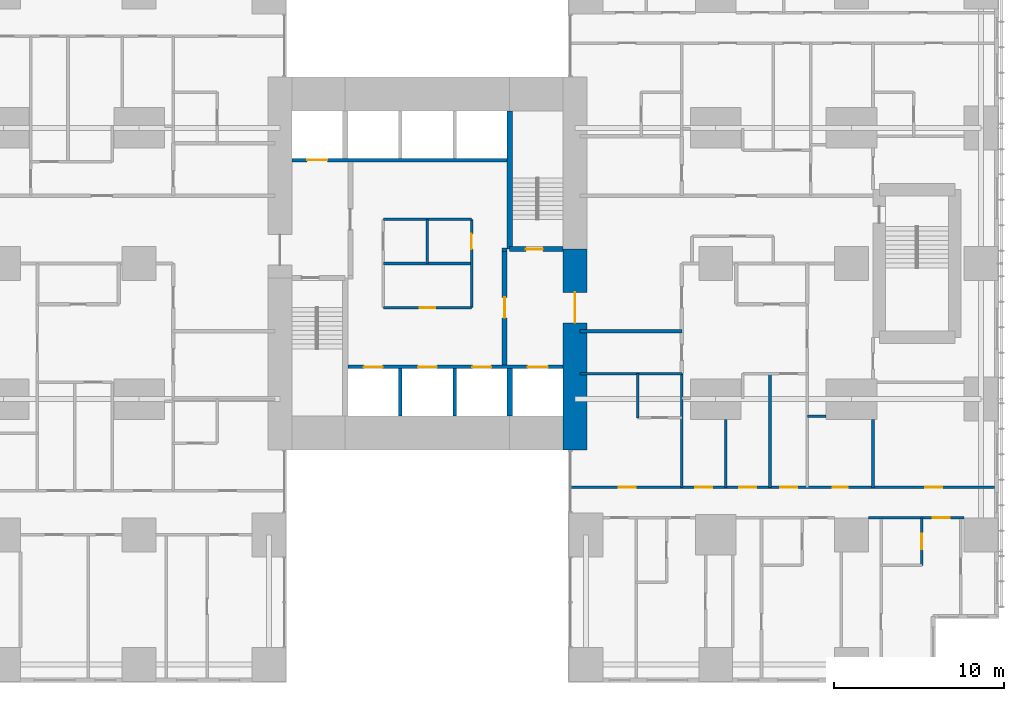
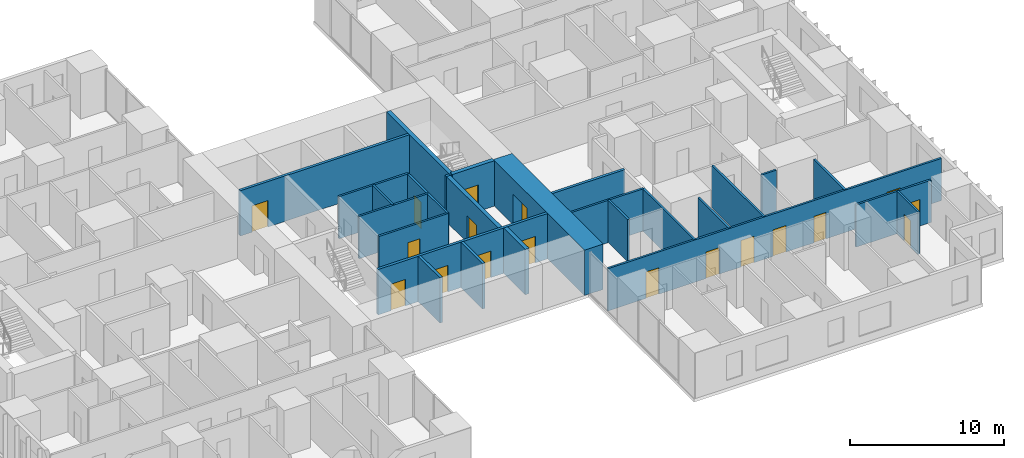
# One storey, part 15 of 20: 26 walls, 18 doors, 18 openings.
"""IFC4 building model written with IfcOpenShell, lengths in metres."""

from ifc_helpers import new_model, si_unit, direction, frame, frame_2d, origin, place, context, subcontext, project, spatial, rectangle, extrude, material, layer, layer_set, type_object, element, fill, save


model = new_model("IFC4")

# Units and contexts
model_context = context("Model", 3, precision=1e-05, world=origin(), true_north=direction((0.0, 1.0)))
body_context = subcontext(model_context, "Body", "Model", "MODEL_VIEW")
ifc_project = project(units=[si_unit("LENGTHUNIT", "METRE"), si_unit("AREAUNIT", "SQUARE_METRE"), si_unit("VOLUMEUNIT", "CUBIC_METRE"), si_unit("PLANEANGLEUNIT", "RADIAN"), si_unit("MASSUNIT", "GRAM", prefix="KILO")], contexts=[model_context])

# Site, building, storey
site_placement = place(None, origin())
site = spatial("IfcSite", under=ifc_project, at=site_placement, CompositionType="ELEMENT")
building_placement = place(site_placement, origin())
building = spatial("IfcBuilding", under=site, at=building_placement, Name="Cleftline Residences", CompositionType="ELEMENT")
storey_placement = place(building_placement, frame((0.0, 0.0, 47.60009765625)))
storey = spatial("IfcBuildingStorey", under=building, at=storey_placement, Name="L11", CompositionType="ELEMENT", Elevation=47.60009765625)

# Wall, opening, door
ifc_material_1 = material(Name="Concrete B70", Category="concrete")
ifc_layer_1 = layer(ifc_material_1, 1.39990234375)
ifc_layer_set_1 = layer_set([ifc_layer_1], Name="CORE WALL 1400")
wall_type_1 = type_object("IfcWallType", Name="CORE WALL 1400", PredefinedType="SHEAR", material=ifc_layer_set_1)
wall_1_placement = place(storey_placement, frame((41.699951171875, 13.0, 0.0), z_axis=(0.0, 0.0, 1.0), x_axis=(0.0, 1.0, 0.0)))
wall_1 = element("IfcWall", 1, at=wall_1_placement, inside=storey, type_object=wall_type_1, Name="Core wall E", PredefinedType="SHEAR", context=body_context, shape_type="SweptSolid", body=[
    extrude(rectangle(XDim=11.85009765625, YDim=1.39990234375, at=frame_2d((5.925048828125, 0.0))), origin(), (0.0, 0.0, 1.0), 3.599853515625),
])
opening_1_placement = place(wall_1_placement, frame((7.5, 0.0, 0.0)))
opening_1 = element("IfcOpeningElement", 2, at=opening_1_placement, cuts=wall_1, Name="Opening D7", PredefinedType="OPENING", context=body_context, shape_type="SweptSolid", body=[
    extrude(rectangle(XDim=1.800048828125, YDim=2.39990234375, at=frame_2d((0.89990234375, 1.199951171875))), frame((0.0, 0.7099609375, 0.0), z_axis=(0.0, -1.0, 0.0), x_axis=(1.0, 0.0, 0.0)), (0.0, 0.0, 1.0), 1.419921875),
])
ifc_material_2 = material(Name="Steel", Category="steel")
door_type_1 = type_object("IfcDoorType", Name="WING DOOR 1800X2400", OperationType="DOUBLE_DOOR_DOUBLE_SWING", PredefinedType="DOOR", material=ifc_material_2)
door_1_placement = place(opening_1_placement, origin())
door_1 = element("IfcDoor", 3, at=door_1_placement, inside=storey, type_object=door_type_1, Name="East wing door", OperationType="DOUBLE_DOOR_DOUBLE_SWING", OverallHeight=2.39990234375, OverallWidth=1.800048828125, PredefinedType="DOOR", context=body_context, shape_type="SweptSolid", body=[
    extrude(rectangle(XDim=1.800048828125, YDim=2.39990234375, at=frame_2d((0.89990234375, 1.199951171875))), frame((0.0, 0.02490234375, 0.0), z_axis=(0.0, -1.0, 0.0), x_axis=(1.0, 0.0, 0.0)), (0.0, 0.0, 1.0), 0.050048828125),
])
fill(opening_1, door_1)

# Wall
ifc_material_3 = material(Name="Concrete B70", Category="concrete")
ifc_layer_2 = layer(ifc_material_3, 0.300048828125)
ifc_layer_set_2 = layer_set([ifc_layer_2], Name="CORE WALL 300")
wall_type_2 = type_object("IfcWallType", Name="CORE WALL 300", PredefinedType="SHEAR", material=ifc_layer_set_2)
wall_2_placement = place(storey_placement, frame((37.85009765625, 24.85009765625, 0.0), z_axis=(0.0, 0.0, 1.0), x_axis=(0.0, 1.0, 0.0)))
element("IfcWall", 4, at=wall_2_placement, inside=storey, type_object=wall_type_2, Name="Core wall SB-W", PredefinedType="SHEAR", context=body_context, shape_type="SweptSolid", body=[
    extrude(rectangle(XDim=8.14990234375, YDim=0.300048828125, at=frame_2d((4.074951171875, 0.0))), origin(), (0.0, 0.0, 1.0), 3.599853515625),
])

# Wall, opening, door
wall_3_placement = place(storey_placement, frame((37.85009765625, 24.85009765625, 0.0), z_axis=(0.0, 0.0, 1.0), x_axis=(1.0, 0.0, 0.0)))
wall_3 = element("IfcWall", 5, at=wall_3_placement, inside=storey, type_object=wall_type_2, Name="Core wall SB-S", PredefinedType="SHEAR", context=body_context, shape_type="SweptSolid", body=[
    extrude(rectangle(XDim=3.14990234375, YDim=0.300048828125, at=frame_2d((1.574951171875, 0.0))), origin(), (0.0, 0.0, 1.0), 3.599853515625),
])
opening_2_placement = place(wall_3_placement, frame((0.949951171875, 0.0, 0.0)))
opening_2 = element("IfcOpeningElement", 6, at=opening_2_placement, cuts=wall_3, Name="Opening D5", PredefinedType="OPENING", context=body_context, shape_type="SweptSolid", body=[
    extrude(rectangle(XDim=1.0, YDim=2.10009765625, at=frame_2d((0.5, 1.050048828125))), frame((0.0, 0.159912109375, 0.0), z_axis=(0.0, -1.0, 0.0), x_axis=(1.0, 0.0, 0.0)), (0.0, 0.0, 1.0), 0.320068359375),
])
ifc_material_4 = material(Name="Steel", Category="steel")
door_type_2 = type_object("IfcDoorType", Name="STAIR DOOR 1000X2100", OperationType="SINGLE_SWING_LEFT", PredefinedType="DOOR", material=ifc_material_4)
door_2_placement = place(opening_2_placement, origin())
door_2 = element("IfcDoor", 7, at=door_2_placement, inside=storey, type_object=door_type_2, Name="Stair B door", OperationType="SINGLE_SWING_RIGHT", OverallHeight=2.10009765625, OverallWidth=1.0, PredefinedType="DOOR", context=body_context, shape_type="SweptSolid", body=[
    extrude(rectangle(XDim=1.0, YDim=2.10009765625, at=frame_2d((0.5, 1.050048828125))), frame((0.0, 0.02490234375, 0.0), z_axis=(0.0, -1.0, 0.0), x_axis=(1.0, 0.0, 0.0)), (0.0, 0.0, 1.0), 0.050048828125),
])
fill(opening_2, door_2)

# Walls
wall_4_placement = place(storey_placement, frame((37.85009765625, 15.0, 0.0), z_axis=(0.0, 0.0, 1.0), x_axis=(0.0, 1.0, 0.0)))
element("IfcWall", 8, at=wall_4_placement, inside=storey, type_object=wall_type_2, Name="Lift shaft wall", PredefinedType="SHEAR", context=body_context, shape_type="SweptSolid", body=[
    extrude(rectangle(XDim=2.800048828125, YDim=0.300048828125, at=frame_2d((1.39990234375, 0.0))), origin(), (0.0, 0.0, 1.0), 3.599853515625),
])
ifc_material_5 = material(Name="Concrete blockwork, fire rated", Category="masonry")
ifc_layer_3 = layer(ifc_material_5, 0.199951171875)
ifc_layer_set_3 = layer_set([ifc_layer_3], Name="FIRE WALL 200")
wall_type_3 = type_object("IfcWallType", Name="FIRE WALL 200", PredefinedType="PARTITIONING", material=ifc_layer_set_3)
wall_5_placement = place(storey_placement, frame((42.0, 20.0, 0.0), z_axis=(0.0, 0.0, 1.0), x_axis=(1.0, 0.0, 0.0)))
element("IfcWall", 9, at=wall_5_placement, inside=storey, type_object=wall_type_3, Name="Fire separating wall", PredefinedType="PARTITIONING", context=body_context, shape_type="SweptSolid", body=[
    extrude(rectangle(XDim=6.0, YDim=0.199951171875, at=frame_2d((3.0, 0.0))), origin(), (0.0, 0.0, 1.0), 3.349853515625),
])
wall_6_placement = place(storey_placement, frame((37.39990234375, 24.800048828125, 0.0), z_axis=(0.0, 0.0, 1.0), x_axis=(1.0, 0.0, 0.0)))
element("IfcWall", 10, at=wall_6_placement, inside=storey, type_object=wall_type_3, Name="Fire separating wall", PredefinedType="PARTITIONING", context=body_context, shape_type="SweptSolid", body=[
    extrude(rectangle(XDim=0.300048828125, YDim=0.199951171875, at=frame_2d((0.14990234375, 0.0))), origin(), (0.0, 0.0, 1.0), 3.599853515625),
])

# Wall, opening, door
ifc_material_6 = material(Name="Gypsum board on steel studs", Category="steel")
ifc_layer_4 = layer(ifc_material_6, 0.14990234375)
ifc_layer_set_4 = layer_set([ifc_layer_4], Name="PARTITION 150")
wall_type_4 = type_object("IfcWallType", Name="PARTITION 150", PredefinedType="PARTITIONING", material=ifc_layer_set_4)
wall_7_placement = place(storey_placement, frame((59.0, 9.0, 0.0), z_axis=(0.0, 0.0, 1.0), x_axis=(1.0, 0.0, 0.0)))
wall_7 = element("IfcWall", 11, at=wall_7_placement, inside=storey, type_object=wall_type_4, Name="Partition", PredefinedType="PARTITIONING", context=body_context, shape_type="SweptSolid", body=[
    extrude(rectangle(XDim=5.64990234375, YDim=0.14990234375, at=frame_2d((2.824951171875, 0.0))), origin(), (0.0, 0.0, 1.0), 3.349853515625),
])
opening_3_placement = place(wall_7_placement, frame((3.800048828125, 0.0, 0.0)))
opening_3 = element("IfcOpeningElement", 12, at=opening_3_placement, cuts=wall_7, Name="Opening D2", PredefinedType="OPENING", context=body_context, shape_type="SweptSolid", body=[
    extrude(rectangle(XDim=1.0, YDim=2.10009765625, at=frame_2d((0.5, 1.050048828125))), frame((0.0, 0.0849609375, 0.0), z_axis=(0.0, -1.0, 0.0), x_axis=(1.0, 0.0, 0.0)), (0.0, 0.0, 1.0), 0.169921875),
])
ifc_material_7 = material(Name="Timber veneer on solid core", Category="wood")
door_type_3 = type_object("IfcDoorType", Name="DOOR 1000X2100", OperationType="SINGLE_SWING_LEFT", PredefinedType="DOOR", material=ifc_material_7)
door_3_placement = place(opening_3_placement, origin())
door_3 = element("IfcDoor", 13, at=door_3_placement, inside=storey, type_object=door_type_3, Name="Door to bedroom 2", OperationType="SINGLE_SWING_LEFT", OverallHeight=2.10009765625, OverallWidth=1.0, PredefinedType="DOOR", context=body_context, shape_type="SweptSolid", body=[
    extrude(rectangle(XDim=1.0, YDim=2.10009765625, at=frame_2d((0.5, 1.050048828125))), frame((0.0, 0.02490234375, 0.0), z_axis=(0.0, -1.0, 0.0), x_axis=(1.0, 0.0, 0.0)), (0.0, 0.0, 1.0), 0.050048828125),
])
fill(opening_3, door_3)

# Wall, openings, doors
wall_8_placement = place(storey_placement, frame((41.43896484375, 10.800048828125, 0.0), z_axis=(0.0, 0.0, 1.0), x_axis=(1.0, 0.0, 0.0)))
wall_8 = element("IfcWall", 14, at=wall_8_placement, inside=storey, type_object=wall_type_4, Name="Partition", PredefinedType="PARTITIONING", context=body_context, shape_type="SweptSolid", body=[
    extrude(rectangle(XDim=25.010986328125, YDim=0.14990234375, at=frame_2d((12.50537109375, 0.0))), origin(), (0.0, 0.0, 1.0), 3.349853515625),
])
opening_4_placement = place(wall_8_placement, frame((12.361083984375, 0.0, 0.0)))
opening_4 = element("IfcOpeningElement", 15, at=opening_4_placement, cuts=wall_8, Name="Opening D2", PredefinedType="OPENING", context=body_context, shape_type="SweptSolid", body=[
    extrude(rectangle(XDim=1.0, YDim=2.10009765625, at=frame_2d((0.5, 1.050048828125))), frame((0.0, 0.0849609375, 0.0), z_axis=(0.0, -1.0, 0.0), x_axis=(1.0, 0.0, 0.0)), (0.0, 0.0, 1.0), 0.169921875),
])
opening_5_placement = place(wall_8_placement, frame((20.923583984375, 0.0, 0.0)))
opening_5 = element("IfcOpeningElement", 16, at=opening_5_placement, cuts=wall_8, Name="Opening D2", PredefinedType="OPENING", context=body_context, shape_type="SweptSolid", body=[
    extrude(rectangle(XDim=1.0, YDim=2.10009765625, at=frame_2d((0.5, 1.050048828125))), frame((0.0, 0.0849609375, 0.0), z_axis=(0.0, -1.0, 0.0), x_axis=(1.0, 0.0, 0.0)), (0.0, 0.0, 1.0), 0.169921875),
])
opening_6_placement = place(wall_8_placement, frame((15.448486328125, 0.0, 0.0)))
opening_6 = element("IfcOpeningElement", 17, at=opening_6_placement, cuts=wall_8, Name="Opening D1", PredefinedType="OPENING", context=body_context, shape_type="SweptSolid", body=[
    extrude(rectangle(XDim=0.89990234375, YDim=2.10009765625, at=frame_2d((0.449951171875, 1.050048828125))), frame((0.0, 0.0849609375, 0.0), z_axis=(0.0, -1.0, 0.0), x_axis=(1.0, 0.0, 0.0)), (0.0, 0.0, 1.0), 0.169921875),
])
opening_7_placement = place(wall_8_placement, frame((9.9609375, 0.0, 0.0)))
opening_7 = element("IfcOpeningElement", 18, at=opening_7_placement, cuts=wall_8, Name="Opening D2", PredefinedType="OPENING", context=body_context, shape_type="SweptSolid", body=[
    extrude(rectangle(XDim=1.0, YDim=2.10009765625, at=frame_2d((0.5, 1.050048828125))), frame((0.0, 0.0849609375, 0.0), z_axis=(0.0, -1.0, 0.0), x_axis=(1.0, 0.0, 0.0)), (0.0, 0.0, 1.0), 0.169921875),
])
opening_8_placement = place(wall_8_placement, frame((7.361083984375, 0.0, 0.0)))
opening_8 = element("IfcOpeningElement", 19, at=opening_8_placement, cuts=wall_8, Name="Opening D2", PredefinedType="OPENING", context=body_context, shape_type="SweptSolid", body=[
    extrude(rectangle(XDim=1.0, YDim=2.10009765625, at=frame_2d((0.5, 1.050048828125))), frame((0.0, 0.0849609375, 0.0), z_axis=(0.0, -1.0, 0.0), x_axis=(1.0, 0.0, 0.0)), (0.0, 0.0, 1.0), 0.169921875),
])
opening_9_placement = place(wall_8_placement, frame((2.8359375, 0.0, 0.0)))
opening_9 = element("IfcOpeningElement", 20, at=opening_9_placement, cuts=wall_8, Name="Opening D2", PredefinedType="OPENING", context=body_context, shape_type="SweptSolid", body=[
    extrude(rectangle(XDim=1.0, YDim=2.10009765625, at=frame_2d((0.5, 1.050048828125))), frame((0.0, 0.0849609375, 0.0), z_axis=(0.0, -1.0, 0.0), x_axis=(1.0, 0.0, 0.0)), (0.0, 0.0, 1.0), 0.169921875),
])
door_4_placement = place(opening_4_placement, origin())
door_4 = element("IfcDoor", 21, at=door_4_placement, inside=storey, type_object=door_type_3, Name="Door to residence hall", OperationType="SINGLE_SWING_LEFT", OverallHeight=2.10009765625, OverallWidth=1.0, PredefinedType="DOOR", context=body_context, shape_type="SweptSolid", body=[
    extrude(rectangle(XDim=1.0, YDim=2.10009765625, at=frame_2d((0.5, 1.050048828125))), frame((0.0, 0.02490234375, 0.0), z_axis=(0.0, -1.0, 0.0), x_axis=(1.0, 0.0, 0.0)), (0.0, 0.0, 1.0), 0.050048828125),
])
fill(opening_4, door_4)
door_5_placement = place(opening_5_placement, origin())
door_5 = element("IfcDoor", 22, at=door_5_placement, inside=storey, type_object=door_type_3, Name="Door to sea-view living and dining room", OperationType="SINGLE_SWING_LEFT", OverallHeight=2.10009765625, OverallWidth=1.0, PredefinedType="DOOR", context=body_context, shape_type="SweptSolid", body=[
    extrude(rectangle(XDim=1.0, YDim=2.10009765625, at=frame_2d((0.5, 1.050048828125))), frame((0.0, 0.02490234375, 0.0), z_axis=(0.0, -1.0, 0.0), x_axis=(1.0, 0.0, 0.0)), (0.0, 0.0, 1.0), 0.050048828125),
])
fill(opening_5, door_5)
door_6_placement = place(opening_7_placement, origin())
door_6 = element("IfcDoor", 23, at=door_6_placement, inside=storey, type_object=door_type_3, Name="Door to show kitchen", OperationType="SINGLE_SWING_RIGHT", OverallHeight=2.10009765625, OverallWidth=1.0, PredefinedType="DOOR", context=body_context, shape_type="SweptSolid", body=[
    extrude(rectangle(XDim=1.0, YDim=2.10009765625, at=frame_2d((0.5, 1.050048828125))), frame((0.0, 0.02490234375, 0.0), z_axis=(0.0, -1.0, 0.0), x_axis=(1.0, 0.0, 0.0)), (0.0, 0.0, 1.0), 0.050048828125),
])
fill(opening_7, door_6)
door_7_placement = place(opening_8_placement, origin())
door_7 = element("IfcDoor", 24, at=door_7_placement, inside=storey, type_object=door_type_3, Name="Door to wet kitchen", OperationType="SINGLE_SWING_RIGHT", OverallHeight=2.10009765625, OverallWidth=1.0, PredefinedType="DOOR", context=body_context, shape_type="SweptSolid", body=[
    extrude(rectangle(XDim=1.0, YDim=2.10009765625, at=frame_2d((0.5, 1.050048828125))), frame((0.0, 0.02490234375, 0.0), z_axis=(0.0, -1.0, 0.0), x_axis=(1.0, 0.0, 0.0)), (0.0, 0.0, 1.0), 0.050048828125),
])
fill(opening_8, door_7)
door_8_placement = place(opening_9_placement, origin())
door_8 = element("IfcDoor", 25, at=door_8_placement, inside=storey, type_object=door_type_3, Name="Door to master bedroom", OperationType="SINGLE_SWING_RIGHT", OverallHeight=2.10009765625, OverallWidth=1.0, PredefinedType="DOOR", context=body_context, shape_type="SweptSolid", body=[
    extrude(rectangle(XDim=1.0, YDim=2.10009765625, at=frame_2d((0.5, 1.050048828125))), frame((0.0, 0.02490234375, 0.0), z_axis=(0.0, -1.0, 0.0), x_axis=(1.0, 0.0, 0.0)), (0.0, 0.0, 1.0), 0.050048828125),
])
fill(opening_9, door_8)
ifc_material_8 = material(Name="Timber veneer on solid core", Category="wood")
door_type_4 = type_object("IfcDoorType", Name="DOOR 900X2100", OperationType="SINGLE_SWING_LEFT", PredefinedType="DOOR", material=ifc_material_8)
door_9_placement = place(opening_6_placement, origin())
door_9 = element("IfcDoor", 26, at=door_9_placement, inside=storey, type_object=door_type_4, Name="Door to store room", OperationType="SINGLE_SWING_LEFT", OverallHeight=2.10009765625, OverallWidth=0.89990234375, PredefinedType="DOOR", context=body_context, shape_type="SweptSolid", body=[
    extrude(rectangle(XDim=0.89990234375, YDim=2.10009765625, at=frame_2d((0.449951171875, 1.050048828125))), frame((0.0, 0.02490234375, 0.0), z_axis=(0.0, -1.0, 0.0), x_axis=(1.0, 0.0, 0.0)), (0.0, 0.0, 1.0), 0.050048828125),
])
fill(opening_6, door_9)

# Walls
wall_9_placement = place(storey_placement, frame((55.39990234375, 15.0, 0.0), z_axis=(0.0, 0.0, 1.0), x_axis=(1.0, 0.0, 0.0)))
element("IfcWall", 27, at=wall_9_placement, inside=storey, type_object=wall_type_4, Name="Partition", PredefinedType="PARTITIONING", context=body_context, shape_type="SweptSolid", body=[
    extrude(rectangle(XDim=1.10009765625, YDim=0.14990234375, at=frame_2d((0.550048828125, 0.0))), origin(), (0.0, 0.0, 1.0), 3.349853515625),
])
wall_10_placement = place(storey_placement, frame((42.0, 17.5, 0.0), z_axis=(0.0, 0.0, 1.0), x_axis=(1.0, 0.0, 0.0)))
element("IfcWall", 28, at=wall_10_placement, inside=storey, type_object=wall_type_4, Name="Partition", PredefinedType="PARTITIONING", context=body_context, shape_type="SweptSolid", body=[
    extrude(rectangle(XDim=6.0, YDim=0.14990234375, at=frame_2d((3.0, 0.0))), origin(), (0.0, 0.0, 1.0), 3.349853515625),
])
wall_11_placement = place(storey_placement, frame((45.39990234375, 14.89990234375, 0.0), z_axis=(0.0, 0.0, 1.0), x_axis=(0.0, 1.0, 0.0)))
element("IfcWall", 29, at=wall_11_placement, inside=storey, type_object=wall_type_4, Name="Partition", PredefinedType="PARTITIONING", context=body_context, shape_type="SweptSolid", body=[
    extrude(rectangle(XDim=2.60009765625, YDim=0.14990234375, at=frame_2d((1.300048828125, 0.0))), origin(), (0.0, 0.0, 1.0), 3.349853515625),
])
wall_12_placement = place(storey_placement, frame((48.0, 10.800048828125, 0.0), z_axis=(0.0, 0.0, 1.0), x_axis=(0.0, 1.0, 0.0)))
element("IfcWall", 30, at=wall_12_placement, inside=storey, type_object=wall_type_4, Name="Partition", PredefinedType="PARTITIONING", context=body_context, shape_type="SweptSolid", body=[
    extrude(rectangle(XDim=6.699951171875, YDim=0.14990234375, at=frame_2d((3.35009765625, 0.0))), origin(), (0.0, 0.0, 1.0), 3.349853515625),
])
wall_13_placement = place(storey_placement, frame((50.60009765625, 10.800048828125, 0.0), z_axis=(0.0, 0.0, 1.0), x_axis=(0.0, 1.0, 0.0)))
element("IfcWall", 31, at=wall_13_placement, inside=storey, type_object=wall_type_4, Name="Partition", PredefinedType="PARTITIONING", context=body_context, shape_type="SweptSolid", body=[
    extrude(rectangle(XDim=4.0, YDim=0.14990234375, at=frame_2d((2.0, 0.0))), origin(), (0.0, 0.0, 1.0), 3.349853515625),
])
wall_14_placement = place(storey_placement, frame((53.199951171875, 10.800048828125, 0.0), z_axis=(0.0, 0.0, 1.0), x_axis=(0.0, 1.0, 0.0)))
element("IfcWall", 32, at=wall_14_placement, inside=storey, type_object=wall_type_4, Name="Partition", PredefinedType="PARTITIONING", context=body_context, shape_type="SweptSolid", body=[
    extrude(rectangle(XDim=6.699951171875, YDim=0.14990234375, at=frame_2d((3.35009765625, 0.0))), origin(), (0.0, 0.0, 1.0), 3.349853515625),
])
wall_15_placement = place(storey_placement, frame((59.27490234375, 10.800048828125, 0.0), z_axis=(0.0, 0.0, 1.0), x_axis=(0.0, 1.0, 0.0)))
element("IfcWall", 33, at=wall_15_placement, inside=storey, type_object=wall_type_4, Name="Partition", PredefinedType="PARTITIONING", context=body_context, shape_type="SweptSolid", body=[
    extrude(rectangle(XDim=4.0, YDim=0.14990234375, at=frame_2d((2.0, 0.0))), origin(), (0.0, 0.0, 1.0), 3.349853515625),
])

# Wall, opening, door
wall_16_placement = place(storey_placement, frame((62.14990234375, 6.199951171875, 0.0), z_axis=(0.0, 0.0, 1.0), x_axis=(0.0, 1.0, 0.0)))
wall_16 = element("IfcWall", 34, at=wall_16_placement, inside=storey, type_object=wall_type_4, Name="Partition", PredefinedType="PARTITIONING", context=body_context, shape_type="SweptSolid", body=[
    extrude(rectangle(XDim=2.800048828125, YDim=0.14990234375, at=frame_2d((1.39990234375, 0.0))), origin(), (0.0, 0.0, 1.0), 3.349853515625),
])
opening_10_placement = place(wall_16_placement, frame((0.949951171875, 0.0, 0.0)))
opening_10 = element("IfcOpeningElement", 35, at=opening_10_placement, cuts=wall_16, Name="Opening D1", PredefinedType="OPENING", context=body_context, shape_type="SweptSolid", body=[
    extrude(rectangle(XDim=0.89990234375, YDim=2.10009765625, at=frame_2d((0.449951171875, 1.050048828125))), frame((0.0, 0.0849609375, 0.0), z_axis=(0.0, -1.0, 0.0), x_axis=(1.0, 0.0, 0.0)), (0.0, 0.0, 1.0), 0.169921875),
])
door_10_placement = place(opening_10_placement, origin())
door_10 = element("IfcDoor", 36, at=door_10_placement, inside=storey, type_object=door_type_4, Name="Door to en-suite bathroom 2", OperationType="SINGLE_SWING_LEFT", OverallHeight=2.10009765625, OverallWidth=0.89990234375, PredefinedType="DOOR", context=body_context, shape_type="SweptSolid", body=[
    extrude(rectangle(XDim=0.89990234375, YDim=2.10009765625, at=frame_2d((0.449951171875, 1.050048828125))), frame((0.0, 0.02490234375, 0.0), z_axis=(0.0, -1.0, 0.0), x_axis=(1.0, 0.0, 0.0)), (0.0, 0.0, 1.0), 0.050048828125),
])
fill(opening_10, door_10)

ifc_material_9 = material(Name="Fire-resisting gypsum board on steel studs", Category="steel")
ifc_layer_5 = layer(ifc_material_9, 0.14990234375)
ifc_layer_set_5 = layer_set([ifc_layer_5], Name="PARTITION 150 EI 60")
wall_type_5 = type_object("IfcWallType", Name="PARTITION 150 EI 60", PredefinedType="PARTITIONING", material=ifc_layer_set_5)
wall_17_placement = place(storey_placement, frame((30.39990234375, 21.39990234375, 0.0), z_axis=(0.0, 0.0, 1.0), x_axis=(1.0, 0.0, 0.0)))
wall_17 = element("IfcWall", 37, at=wall_17_placement, inside=storey, type_object=wall_type_5, Name="Core room partition", PredefinedType="PARTITIONING", context=body_context, shape_type="SweptSolid", body=[
    extrude(rectangle(XDim=5.2001953125, YDim=0.14990234375, at=frame_2d((2.60009765625, 0.0))), origin(), (0.0, 0.0, 1.0), 3.349853515625),
])
opening_11_placement = place(wall_17_placement, frame((2.14990234375, 0.0, 0.0)))
opening_11 = element("IfcOpeningElement", 38, at=opening_11_placement, cuts=wall_17, Name="Opening D1F30", PredefinedType="OPENING", context=body_context, shape_type="SweptSolid", body=[
    extrude(rectangle(XDim=0.89990234375, YDim=2.10009765625, at=frame_2d((0.449951171875, 1.050048828125))), frame((0.0, 0.0849609375, 0.0), z_axis=(0.0, -1.0, 0.0), x_axis=(1.0, 0.0, 0.0)), (0.0, 0.0, 1.0), 0.169921875),
])
ifc_material_10 = material(Name="Timber veneer on solid core", Category="wood")
door_type_5 = type_object("IfcDoorType", Name="DOOR 900X2100 EI 30", OperationType="SINGLE_SWING_LEFT", PredefinedType="DOOR", material=ifc_material_10)
door_11_placement = place(opening_11_placement, origin())
door_11 = element("IfcDoor", 39, at=door_11_placement, inside=storey, type_object=door_type_5, Name="Door to cleaner's store", OperationType="SINGLE_SWING_LEFT", OverallHeight=2.10009765625, OverallWidth=0.89990234375, PredefinedType="DOOR", context=body_context, shape_type="SweptSolid", body=[
    extrude(rectangle(XDim=0.89990234375, YDim=2.10009765625, at=frame_2d((0.449951171875, 1.050048828125))), frame((0.0, 0.02490234375, 0.0), z_axis=(0.0, -1.0, 0.0), x_axis=(1.0, 0.0, 0.0)), (0.0, 0.0, 1.0), 0.050048828125),
])
fill(opening_11, door_11)

# Wall
wall_18_placement = place(storey_placement, frame((30.39990234375, 26.60009765625, 0.0), z_axis=(0.0, 0.0, 1.0), x_axis=(1.0, 0.0, 0.0)))
element("IfcWall", 40, at=wall_18_placement, inside=storey, type_object=wall_type_5, Name="Core room partition", PredefinedType="PARTITIONING", context=body_context, shape_type="SweptSolid", body=[
    extrude(rectangle(XDim=5.2001953125, YDim=0.14990234375, at=frame_2d((2.60009765625, 0.0))), origin(), (0.0, 0.0, 1.0), 3.349853515625),
])

# Wall, opening, door
wall_19_placement = place(storey_placement, frame((35.60009765625, 21.39990234375, 0.0), z_axis=(0.0, 0.0, 1.0), x_axis=(0.0, 1.0, 0.0)))
wall_19 = element("IfcWall", 41, at=wall_19_placement, inside=storey, type_object=wall_type_5, Name="Core room partition", PredefinedType="PARTITIONING", context=body_context, shape_type="SweptSolid", body=[
    extrude(rectangle(XDim=5.2001953125, YDim=0.14990234375, at=frame_2d((2.60009765625, 0.0))), origin(), (0.0, 0.0, 1.0), 3.349853515625),
])
opening_12_placement = place(wall_19_placement, frame((3.449951171875, 0.0, 0.0)))
opening_12 = element("IfcOpeningElement", 42, at=opening_12_placement, cuts=wall_19, Name="Opening D1F30", PredefinedType="OPENING", context=body_context, shape_type="SweptSolid", body=[
    extrude(rectangle(XDim=0.89990234375, YDim=2.10009765625, at=frame_2d((0.449951171875, 1.050048828125))), frame((0.0, 0.0849609375, 0.0), z_axis=(0.0, -1.0, 0.0), x_axis=(1.0, 0.0, 0.0)), (0.0, 0.0, 1.0), 0.169921875),
])
door_12_placement = place(opening_12_placement, origin())
door_12 = element("IfcDoor", 43, at=door_12_placement, inside=storey, type_object=door_type_5, Name="Door to maintenance store", OperationType="SINGLE_SWING_LEFT", OverallHeight=2.10009765625, OverallWidth=0.89990234375, PredefinedType="DOOR", context=body_context, shape_type="SweptSolid", body=[
    extrude(rectangle(XDim=0.89990234375, YDim=2.10009765625, at=frame_2d((0.449951171875, 1.050048828125))), frame((0.0, 0.02490234375, 0.0), z_axis=(0.0, -1.0, 0.0), x_axis=(1.0, 0.0, 0.0)), (0.0, 0.0, 1.0), 0.050048828125),
])
fill(opening_12, door_12)

# Walls
wall_20_placement = place(storey_placement, frame((30.39990234375, 24.0, 0.0), z_axis=(0.0, 0.0, 1.0), x_axis=(1.0, 0.0, 0.0)))
element("IfcWall", 44, at=wall_20_placement, inside=storey, type_object=wall_type_5, Name="Core room partition", PredefinedType="PARTITIONING", context=body_context, shape_type="SweptSolid", body=[
    extrude(rectangle(XDim=5.2001953125, YDim=0.14990234375, at=frame_2d((2.60009765625, 0.0))), origin(), (0.0, 0.0, 1.0), 3.349853515625),
])
wall_21_placement = place(storey_placement, frame((33.0, 24.0, 0.0), z_axis=(0.0, 0.0, 1.0), x_axis=(0.0, 1.0, 0.0)))
element("IfcWall", 45, at=wall_21_placement, inside=storey, type_object=wall_type_5, Name="Core room partition", PredefinedType="PARTITIONING", context=body_context, shape_type="SweptSolid", body=[
    extrude(rectangle(XDim=2.60009765625, YDim=0.14990234375, at=frame_2d((1.300048828125, 0.0))), origin(), (0.0, 0.0, 1.0), 3.349853515625),
])

# Wall, openings, doors
ifc_material_11 = material(Name="Concrete blockwork, fire rated", Category="masonry")
ifc_layer_6 = layer(ifc_material_11, 0.199951171875)
ifc_layer_set_6 = layer_set([ifc_layer_6], Name="SHAFT WALL 200")
wall_type_6 = type_object("IfcWallType", Name="SHAFT WALL 200", PredefinedType="PARTITIONING", material=ifc_layer_set_6)
wall_22_placement = place(storey_placement, frame((28.300048828125, 17.89990234375, 0.0), z_axis=(0.0, 0.0, 1.0), x_axis=(1.0, 0.0, 0.0)))
wall_22 = element("IfcWall", 46, at=wall_22_placement, inside=storey, type_object=wall_type_6, Name="Lift shaft wall", PredefinedType="PARTITIONING", context=body_context, shape_type="SweptSolid", body=[
    extrude(rectangle(XDim=12.699951171875, YDim=0.199951171875, at=frame_2d((6.35009765625, 0.0))), origin(), (0.0, 0.0, 1.0), 3.599853515625),
])
opening_13_placement = place(wall_22_placement, frame((0.949951171875, 0.0, 0.0)))
opening_13 = element("IfcOpeningElement", 47, at=opening_13_placement, cuts=wall_22, Name="Opening LD1", PredefinedType="OPENING", context=body_context, shape_type="SweptSolid", body=[
    extrude(rectangle(XDim=1.10009765625, YDim=2.10009765625, at=frame_2d((0.550048828125, 1.050048828125))), frame((0.0, 0.10986328125, 0.0), z_axis=(0.0, -1.0, 0.0), x_axis=(1.0, 0.0, 0.0)), (0.0, 0.0, 1.0), 0.219970703125),
])
opening_14_placement = place(wall_22_placement, frame((4.14990234375, 0.0, 0.0)))
opening_14 = element("IfcOpeningElement", 48, at=opening_14_placement, cuts=wall_22, Name="Opening LD1", PredefinedType="OPENING", context=body_context, shape_type="SweptSolid", body=[
    extrude(rectangle(XDim=1.10009765625, YDim=2.10009765625, at=frame_2d((0.550048828125, 1.050048828125))), frame((0.0, 0.10986328125, 0.0), z_axis=(0.0, -1.0, 0.0), x_axis=(1.0, 0.0, 0.0)), (0.0, 0.0, 1.0), 0.219970703125),
])
opening_15_placement = place(wall_22_placement, frame((7.35009765625, 0.0, 0.0)))
opening_15 = element("IfcOpeningElement", 49, at=opening_15_placement, cuts=wall_22, Name="Opening LD1", PredefinedType="OPENING", context=body_context, shape_type="SweptSolid", body=[
    extrude(rectangle(XDim=1.10009765625, YDim=2.10009765625, at=frame_2d((0.550048828125, 1.050048828125))), frame((0.0, 0.10986328125, 0.0), z_axis=(0.0, -1.0, 0.0), x_axis=(1.0, 0.0, 0.0)), (0.0, 0.0, 1.0), 0.219970703125),
])
opening_16_placement = place(wall_22_placement, frame((10.60009765625, 0.0, 0.0)))
opening_16 = element("IfcOpeningElement", 50, at=opening_16_placement, cuts=wall_22, Name="Opening LD2", PredefinedType="OPENING", context=body_context, shape_type="SweptSolid", body=[
    extrude(rectangle(XDim=1.199951171875, YDim=2.10009765625, at=frame_2d((0.60009765625, 1.050048828125))), frame((0.0, 0.10986328125, 0.0), z_axis=(0.0, -1.0, 0.0), x_axis=(1.0, 0.0, 0.0)), (0.0, 0.0, 1.0), 0.219970703125),
])
ifc_material_12 = material(Name="Steel", Category="steel")
door_type_6 = type_object("IfcDoorType", Name="FIREFIGHTING LIFT LANDING DOOR 1200X2100", OperationType="SLIDING_TO_LEFT", PredefinedType="DOOR", material=ifc_material_12)
door_13_placement = place(opening_16_placement, origin())
door_13 = element("IfcDoor", 51, at=door_13_placement, inside=storey, type_object=door_type_6, Name="Lift FL2 landing door", OperationType="SLIDING_TO_LEFT", OverallHeight=2.10009765625, OverallWidth=1.199951171875, PredefinedType="DOOR", context=body_context, shape_type="SweptSolid", body=[
    extrude(rectangle(XDim=1.199951171875, YDim=2.10009765625, at=frame_2d((0.60009765625, 1.050048828125))), frame((0.0, 0.02490234375, 0.0), z_axis=(0.0, -1.0, 0.0), x_axis=(1.0, 0.0, 0.0)), (0.0, 0.0, 1.0), 0.050048828125),
])
fill(opening_16, door_13)
ifc_material_13 = material(Name="Steel", Category="steel")
door_type_7 = type_object("IfcDoorType", Name="LIFT LANDING DOOR 1100X2100", OperationType="SLIDING_TO_LEFT", PredefinedType="DOOR", material=ifc_material_13)
door_14_placement = place(opening_13_placement, origin())
door_14 = element("IfcDoor", 52, at=door_14_placement, inside=storey, type_object=door_type_7, Name="Lift P1 landing door", OperationType="SLIDING_TO_LEFT", OverallHeight=2.10009765625, OverallWidth=1.10009765625, PredefinedType="DOOR", context=body_context, shape_type="SweptSolid", body=[
    extrude(rectangle(XDim=1.10009765625, YDim=2.10009765625, at=frame_2d((0.550048828125, 1.050048828125))), frame((0.0, 0.02490234375, 0.0), z_axis=(0.0, -1.0, 0.0), x_axis=(1.0, 0.0, 0.0)), (0.0, 0.0, 1.0), 0.050048828125),
])
fill(opening_13, door_14)
door_15_placement = place(opening_14_placement, origin())
door_15 = element("IfcDoor", 53, at=door_15_placement, inside=storey, type_object=door_type_7, Name="Lift P2 landing door", OperationType="SLIDING_TO_LEFT", OverallHeight=2.10009765625, OverallWidth=1.10009765625, PredefinedType="DOOR", context=body_context, shape_type="SweptSolid", body=[
    extrude(rectangle(XDim=1.10009765625, YDim=2.10009765625, at=frame_2d((0.550048828125, 1.050048828125))), frame((0.0, 0.02490234375, 0.0), z_axis=(0.0, -1.0, 0.0), x_axis=(1.0, 0.0, 0.0)), (0.0, 0.0, 1.0), 0.050048828125),
])
fill(opening_14, door_15)
door_16_placement = place(opening_15_placement, origin())
door_16 = element("IfcDoor", 54, at=door_16_placement, inside=storey, type_object=door_type_7, Name="Lift P3 landing door", OperationType="SLIDING_TO_LEFT", OverallHeight=2.10009765625, OverallWidth=1.10009765625, PredefinedType="DOOR", context=body_context, shape_type="SweptSolid", body=[
    extrude(rectangle(XDim=1.10009765625, YDim=2.10009765625, at=frame_2d((0.550048828125, 1.050048828125))), frame((0.0, 0.02490234375, 0.0), z_axis=(0.0, -1.0, 0.0), x_axis=(1.0, 0.0, 0.0)), (0.0, 0.0, 1.0), 0.050048828125),
])
fill(opening_15, door_16)

# Wall, opening, door
wall_23_placement = place(storey_placement, frame((25.0, 30.10009765625, 0.0), z_axis=(0.0, 0.0, 1.0), x_axis=(1.0, 0.0, 0.0)))
wall_23 = element("IfcWall", 55, at=wall_23_placement, inside=storey, type_object=wall_type_6, Name="Lift shaft wall", PredefinedType="PARTITIONING", context=body_context, shape_type="SweptSolid", body=[
    extrude(rectangle(XDim=12.699951171875, YDim=0.199951171875, at=frame_2d((6.35009765625, 0.0))), origin(), (0.0, 0.0, 1.0), 3.599853515625),
])
opening_17_placement = place(wall_23_placement, frame((0.89990234375, 0.0, 0.0)))
opening_17 = element("IfcOpeningElement", 56, at=opening_17_placement, cuts=wall_23, Name="Opening LD2", PredefinedType="OPENING", context=body_context, shape_type="SweptSolid", body=[
    extrude(rectangle(XDim=1.199951171875, YDim=2.10009765625, at=frame_2d((0.60009765625, 1.050048828125))), frame((0.0, 0.10986328125, 0.0), z_axis=(0.0, -1.0, 0.0), x_axis=(1.0, 0.0, 0.0)), (0.0, 0.0, 1.0), 0.219970703125),
])
door_17_placement = place(opening_17_placement, origin())
door_17 = element("IfcDoor", 57, at=door_17_placement, inside=storey, type_object=door_type_6, Name="Lift FL1 landing door", OperationType="SLIDING_TO_LEFT", OverallHeight=2.10009765625, OverallWidth=1.199951171875, PredefinedType="DOOR", context=body_context, shape_type="SweptSolid", body=[
    extrude(rectangle(XDim=1.199951171875, YDim=2.10009765625, at=frame_2d((0.60009765625, 1.050048828125))), frame((0.0, 0.02490234375, 0.0), z_axis=(0.0, -1.0, 0.0), x_axis=(1.0, 0.0, 0.0)), (0.0, 0.0, 1.0), 0.050048828125),
])
fill(opening_17, door_17)

# Walls
for number, where, z_axis, x_axis, name in (
    (58, (31.39990234375, 15.0, 0.0), (0.0, 0.0, 1.0), (0.0, 1.0, 0.0), "Lift shaft wall"),
    (59, (34.60009765625, 15.0, 0.0), (0.0, 0.0, 1.0), (0.0, 1.0, 0.0), "Lift shaft wall"),
):
    element("IfcWall", number, at=place(storey_placement, frame(where, z_axis=z_axis, x_axis=x_axis)), inside=storey, type_object=wall_type_6, Name=name, PredefinedType="PARTITIONING", context=body_context, shape_type="SweptSolid", body=[
        extrude(rectangle(XDim=2.800048828125, YDim=0.199951171875, at=frame_2d((1.39990234375, 0.0))), origin(), (0.0, 0.0, 1.0), 3.599853515625),
    ])

# Wall, opening, door
ifc_material_14 = material(Name="Concrete blockwork, fire rated", Category="masonry")
ifc_layer_7 = layer(ifc_material_14, 0.300048828125)
ifc_layer_set_7 = layer_set([ifc_layer_7], Name="STAIR LOBBY WALL 300")
wall_type_7 = type_object("IfcWallType", Name="STAIR LOBBY WALL 300", PredefinedType="PARTITIONING", material=ifc_layer_set_7)
wall_24_placement = place(storey_placement, frame((37.550048828125, 18.0, 0.0), z_axis=(0.0, 0.0, 1.0), x_axis=(0.0, 1.0, 0.0)))
wall_24 = element("IfcWall", 60, at=wall_24_placement, inside=storey, type_object=wall_type_7, Name="Stair and lobby wall FB-W", PredefinedType="PARTITIONING", context=body_context, shape_type="SweptSolid", body=[
    extrude(rectangle(XDim=6.699951171875, YDim=0.300048828125, at=frame_2d((3.35009765625, 0.0))), origin(), (0.0, 0.0, 1.0), 3.599853515625),
])
opening_18_placement = place(wall_24_placement, frame((2.800048828125, 0.0, 0.0)))
opening_18 = element("IfcOpeningElement", 61, at=opening_18_placement, cuts=wall_24, Name="Opening D6", PredefinedType="OPENING", context=body_context, shape_type="SweptSolid", body=[
    extrude(rectangle(XDim=1.199951171875, YDim=2.10009765625, at=frame_2d((0.60009765625, 1.050048828125))), frame((0.0, 0.159912109375, 0.0), z_axis=(0.0, -1.0, 0.0), x_axis=(1.0, 0.0, 0.0)), (0.0, 0.0, 1.0), 0.320068359375),
])
ifc_material_15 = material(Name="Steel", Category="steel")
door_type_8 = type_object("IfcDoorType", Name="LOBBY DOOR 1200X2100", OperationType="SINGLE_SWING_RIGHT", PredefinedType="DOOR", material=ifc_material_15)
door_18_placement = place(opening_18_placement, origin())
door_18 = element("IfcDoor", 62, at=door_18_placement, inside=storey, type_object=door_type_8, Name="Firefighting lobby B door", OperationType="SINGLE_SWING_LEFT", OverallHeight=2.10009765625, OverallWidth=1.199951171875, PredefinedType="DOOR", context=body_context, shape_type="SweptSolid", body=[
    extrude(rectangle(XDim=1.199951171875, YDim=2.10009765625, at=frame_2d((0.60009765625, 1.050048828125))), frame((0.0, 0.02490234375, 0.0), z_axis=(0.0, -1.0, 0.0), x_axis=(1.0, 0.0, 0.0)), (0.0, 0.0, 1.0), 0.050048828125),
])
fill(opening_18, door_18)

save(model, "model.ifc")
